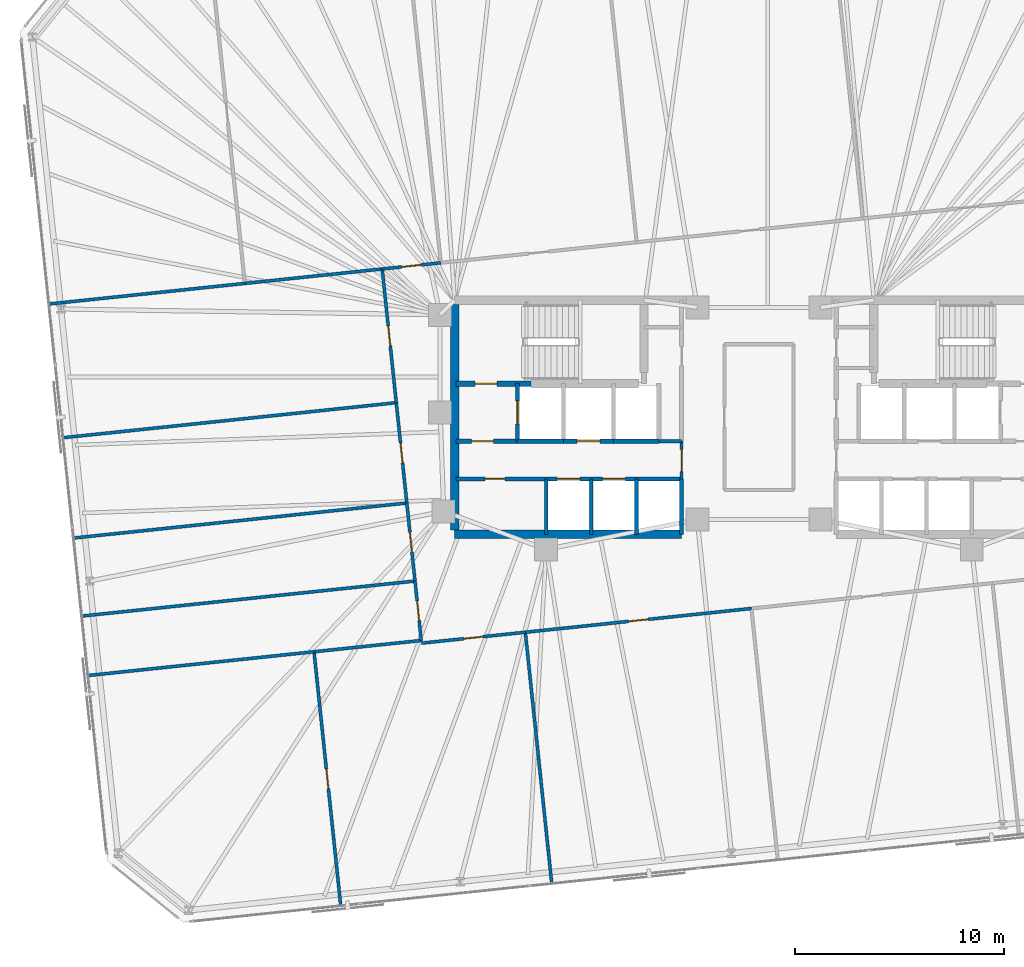
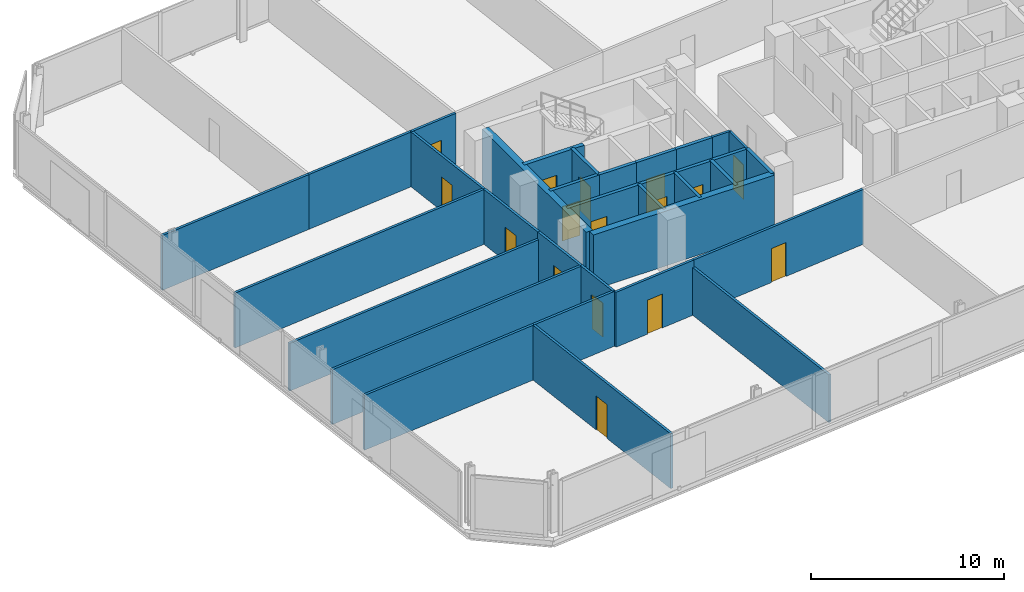
# One storey, part 14 of 18: 31 walls, 16 doors, 16 openings.
"""IFC4 building model written with IfcOpenShell, lengths in metres."""

from ifc_helpers import new_model, si_unit, direction, frame, frame_2d, origin, place, context, subcontext, project, spatial, rectangle, extrude, material, layer, layer_set, type_object, element, fill, save


model = new_model("IFC4")

# Units and contexts
model_context = context("Model", 3, precision=1e-05, world=origin(), true_north=direction((0.0, 1.0)))
body_context = subcontext(model_context, "Body", "Model", "MODEL_VIEW")
ifc_project = project(units=[si_unit("LENGTHUNIT", "METRE"), si_unit("AREAUNIT", "SQUARE_METRE"), si_unit("VOLUMEUNIT", "CUBIC_METRE"), si_unit("PLANEANGLEUNIT", "RADIAN"), si_unit("MASSUNIT", "GRAM", prefix="KILO")], contexts=[model_context])

# Site, building, storey
site_placement = place(None, origin())
site = spatial("IfcSite", under=ifc_project, at=site_placement, CompositionType="ELEMENT")
building_placement = place(site_placement, origin())
building = spatial("IfcBuilding", under=site, at=building_placement, Name="Menara Jurai Vektor", CompositionType="ELEMENT")
storey_placement = place(building_placement, frame((0.0, 0.0, 120.699951171875)))
storey = spatial("IfcBuildingStorey", under=building, at=storey_placement, Name="L30", CompositionType="ELEMENT", Elevation=120.699951171875)

# Wall, opening, door
ifc_material_1 = material(Name="Concrete C40/50", Category="concrete")
ifc_layer_1 = layer(ifc_material_1, 0.25)
ifc_layer_set_1 = layer_set([ifc_layer_1], Name="Concrete C40/50")
wall_type_1 = type_object("IfcWallType", Name="INT-WALL-CORE-250", PredefinedType="STANDARD", material=ifc_layer_set_1)
wall_1_placement = place(storey_placement, frame((-14.5, 1.60009765625, 0.0), z_axis=(0.0, 0.0, 1.0), x_axis=(1.0, 0.0, 0.0)))
wall_1 = element("IfcWall", 1, at=wall_1_placement, inside=storey, type_object=wall_type_1, Name="Interior Wall IW-250 L30", PredefinedType="STANDARD", context=body_context, shape_type="SweptSolid", body=[
    extrude(rectangle(XDim=3.60009765625, YDim=0.25, at=frame_2d((1.800048828125, 0.0))), origin(), (0.0, 0.0, 1.0), 3.47509765625),
])
opening_1_placement = place(wall_1_placement, frame((0.919921875, 0.0, 0.0)))
opening_1 = element("IfcOpeningElement", 2, at=opening_1_placement, cuts=wall_1, Name="Opening D-L30-ST1", PredefinedType="OPENING", context=body_context, shape_type="SweptSolid", body=[
    extrude(rectangle(XDim=1.050048828125, YDim=2.14990234375, at=frame_2d((0.52490234375, 1.074951171875))), frame((0.0, 0.135009765625, 0.0), z_axis=(0.0, -1.0, 0.0), x_axis=(1.0, 0.0, 0.0)), (0.0, 0.0, 1.0), 0.27001953125),
])
ifc_material_2 = material(Name="Fire-Rated Steel Door", Category="steel")
door_type_1 = type_object("IfcDoorType", Name="DR-STAIR-1050", OperationType="NOTDEFINED", PredefinedType="DOOR", material=ifc_material_2)
door_1_placement = place(opening_1_placement, origin())
door_1 = element("IfcDoor", 3, at=door_1_placement, inside=storey, type_object=door_type_1, Name="Exit Stair ST1 Door L30", OperationType="SINGLE_SWING_RIGHT", OverallHeight=2.14990234375, OverallWidth=1.050048828125, PredefinedType="DOOR", context=body_context, shape_type="SweptSolid", body=[
    extrude(rectangle(XDim=1.050048828125, YDim=2.14990234375, at=frame_2d((0.52490234375, 1.074951171875))), frame((0.0, 0.02490234375, 0.0), z_axis=(0.0, -1.0, 0.0), x_axis=(1.0, 0.0, 0.0)), (0.0, 0.0, 1.0), 0.050048828125),
])
fill(opening_1, door_1)

wall_2_placement = place(storey_placement, frame((-11.550048828125, -1.14990234375, 0.0), z_axis=(0.0, 0.0, 1.0), x_axis=(0.0, 1.0, 0.0)))
wall_2 = element("IfcWall", 4, at=wall_2_placement, inside=storey, type_object=wall_type_1, Name="Interior Wall IW-250 L30", PredefinedType="STANDARD", context=body_context, shape_type="SweptSolid", body=[
    extrude(rectangle(XDim=2.75, YDim=0.199951171875, at=frame_2d((1.375, 0.0))), origin(), (0.0, 0.0, 1.0), 3.47509765625),
])
opening_2_placement = place(wall_2_placement, frame((0.824951171875, 0.0, 0.0)))
opening_2 = element("IfcOpeningElement", 5, at=opening_2_placement, cuts=wall_2, Name="Opening LD-L30-FL1", PredefinedType="OPENING", context=body_context, shape_type="SweptSolid", body=[
    extrude(rectangle(XDim=1.10009765625, YDim=2.14990234375, at=frame_2d((0.550048828125, 1.074951171875))), frame((0.0, 0.10986328125, 0.0), z_axis=(0.0, -1.0, 0.0), x_axis=(1.0, 0.0, 0.0)), (0.0, 0.0, 1.0), 0.219970703125),
])
ifc_material_3 = material(Name="Stainless Steel Sliding Lift Landing Door", Category="steel")
door_type_2 = type_object("IfcDoorType", Name="DR-LIFT-FIRE-1100", OperationType="NOTDEFINED", PredefinedType="DOOR", material=ifc_material_3)
door_2_placement = place(opening_2_placement, origin())
door_2 = element("IfcDoor", 6, at=door_2_placement, inside=storey, type_object=door_type_2, Name="Lift Landing Door FL1 L30", OperationType="SLIDING_TO_RIGHT", OverallHeight=2.14990234375, OverallWidth=1.10009765625, PredefinedType="DOOR", context=body_context, shape_type="SweptSolid", body=[
    extrude(rectangle(XDim=1.10009765625, YDim=2.14990234375, at=frame_2d((0.550048828125, 1.074951171875))), frame((0.0, 0.02490234375, 0.0), z_axis=(0.0, -1.0, 0.0), x_axis=(1.0, 0.0, 0.0)), (0.0, 0.0, 1.0), 0.050048828125),
])
fill(opening_2, door_2)

wall_3_placement = place(storey_placement, frame((-14.5, -1.14990234375, 0.0), z_axis=(0.0, 0.0, 1.0), x_axis=(1.0, 0.0, 0.0)))
wall_3 = element("IfcWall", 7, at=wall_3_placement, inside=storey, type_object=wall_type_1, Name="Interior Wall IW-250 L30", PredefinedType="STANDARD", context=body_context, shape_type="SweptSolid", body=[
    extrude(rectangle(XDim=2.949951171875, YDim=0.199951171875, at=frame_2d((1.47509765625, 0.0))), origin(), (0.0, 0.0, 1.0), 3.47509765625),
])
opening_3_placement = place(wall_3_placement, frame((0.75, 0.0, 0.0)))
opening_3 = element("IfcOpeningElement", 8, at=opening_3_placement, cuts=wall_3, Name="Opening D-L30-FFW", PredefinedType="OPENING", context=body_context, shape_type="SweptSolid", body=[
    extrude(rectangle(XDim=1.050048828125, YDim=2.179931640625, at=frame_2d((0.52490234375, 1.08984375))), frame((0.0, 0.10986328125, 0.0), z_axis=(0.0, -1.0, 0.0), x_axis=(1.0, 0.0, 0.0)), (0.0, 0.0, 1.0), 0.219970703125),
])
ifc_material_4 = material(Name="Fire-Rated Timber Door", Category="wood")
door_type_3 = type_object("IfcDoorType", Name="DR-LOBBY-1050", OperationType="NOTDEFINED", PredefinedType="DOOR", material=ifc_material_4)
door_3_placement = place(opening_3_placement, origin())
door_3 = element("IfcDoor", 9, at=door_3_placement, inside=storey, type_object=door_type_3, Name="Fire Lift Lobby Door W L30", OperationType="SINGLE_SWING_RIGHT", OverallHeight=2.179931640625, OverallWidth=1.050048828125, PredefinedType="DOOR", context=body_context, shape_type="SweptSolid", body=[
    extrude(rectangle(XDim=1.050048828125, YDim=2.179931640625, at=frame_2d((0.52490234375, 1.08984375))), frame((0.0, 0.02490234375, 0.0), z_axis=(0.0, -1.0, 0.0), x_axis=(1.0, 0.0, 0.0)), (0.0, 0.0, 1.0), 0.050048828125),
])
fill(opening_3, door_3)

# Wall
wall_4_placement = place(storey_placement, frame((-11.550048828125, -1.14990234375, 0.0), z_axis=(0.0, 0.0, 1.0), x_axis=(1.0, 0.0, 0.0)))
element("IfcWall", 10, at=wall_4_placement, inside=storey, type_object=wall_type_1, Name="Interior Wall IW-250 L30", PredefinedType="STANDARD", context=body_context, shape_type="SweptSolid", body=[
    extrude(rectangle(XDim=2.199951171875, YDim=0.199951171875, at=frame_2d((1.10009765625, 0.0))), origin(), (0.0, 0.0, 1.0), 3.47509765625),
])

# Wall, opening, door
ifc_material_5 = material(Name="Gypsum Fireboard Partition", Category="gypsum")
ifc_layer_2 = layer(ifc_material_5, 0.14990234375)
ifc_layer_set_2 = layer_set([ifc_layer_2], Name="Gypsum Fireboard Partition")
wall_type_2 = type_object("IfcWallType", Name="INT-WALL-CORR-150", PredefinedType="PARTITIONING", material=ifc_layer_set_2)
wall_5_placement = place(storey_placement, frame((-3.699951171875, -2.949951171875, 0.0), z_axis=(0.0, 0.0, 1.0), x_axis=(0.0, 1.0, 0.0)))
wall_5 = element("IfcWall", 11, at=wall_5_placement, inside=storey, type_object=wall_type_2, Name="Interior Wall IW-150 L30", PredefinedType="PARTITIONING", context=body_context, shape_type="SweptSolid", body=[
    extrude(rectangle(XDim=1.800048828125, YDim=0.14990234375, at=frame_2d((0.89990234375, 0.0))), origin(), (0.0, 0.0, 1.0), 3.47509765625),
])
opening_4_placement = place(wall_5_placement, frame((0.35009765625, 0.0, 0.0)))
opening_4 = element("IfcOpeningElement", 12, at=opening_4_placement, cuts=wall_5, Name="Opening D-L30-LLW", PredefinedType="OPENING", context=body_context, shape_type="SweptSolid", body=[
    extrude(rectangle(XDim=1.050048828125, YDim=2.179931640625, at=frame_2d((0.52490234375, 1.08984375))), frame((0.0, 0.0849609375, 0.0), z_axis=(0.0, -1.0, 0.0), x_axis=(1.0, 0.0, 0.0)), (0.0, 0.0, 1.0), 0.169921875),
])
door_4_placement = place(opening_4_placement, origin())
door_4 = element("IfcDoor", 13, at=door_4_placement, inside=storey, type_object=door_type_3, Name="Lift Lobby Corridor Door W L30", OperationType="SINGLE_SWING_LEFT", OverallHeight=2.179931640625, OverallWidth=1.050048828125, PredefinedType="DOOR", context=body_context, shape_type="SweptSolid", body=[
    extrude(rectangle(XDim=1.050048828125, YDim=2.179931640625, at=frame_2d((0.52490234375, 1.08984375))), frame((0.0, 0.02490234375, 0.0), z_axis=(0.0, -1.0, 0.0), x_axis=(1.0, 0.0, 0.0)), (0.0, 0.0, 1.0), 0.050048828125),
])
fill(opening_4, door_4)

# Wall
wall_6_placement = place(storey_placement, frame((-4.7900390625, -1.14990234375, 0.0), z_axis=(0.0, 0.0, 1.0), x_axis=(1.0, 0.0, 0.0)))
element("IfcWall", 14, at=wall_6_placement, inside=storey, type_object=wall_type_2, Name="Interior Wall IW-150 L30", PredefinedType="PARTITIONING", context=body_context, shape_type="SweptSolid", body=[
    extrude(rectangle(XDim=1.090087890625, YDim=0.14990234375, at=frame_2d((0.544921875, 0.0))), origin(), (0.0, 0.0, 1.0), 3.47509765625),
])

# Wall, opening, door
wall_7_placement = place(storey_placement, frame((-18.021240234375, 7.09033203125, 0.0), z_axis=(0.0, 0.0, 1.0), x_axis=(0.994522535937, 0.104522368483, 0.0)))
wall_7 = element("IfcWall", 15, at=wall_7_placement, inside=storey, type_object=wall_type_2, Name="Interior Wall IW-150 L30", PredefinedType="PARTITIONING", context=body_context, shape_type="SweptSolid", body=[
    extrude(rectangle(XDim=2.81689453125, YDim=0.14990234375, at=frame_2d((1.408447265625, 0.0))), origin(), (0.0, 0.0, 1.0), 3.47509765625),
])
opening_5_placement = place(wall_7_placement, frame((0.93359375, 0.0, 0.0)))
opening_5 = element("IfcOpeningElement", 16, at=opening_5_placement, cuts=wall_7, Name="Opening D30-07", PredefinedType="OPENING", context=body_context, shape_type="SweptSolid", body=[
    extrude(rectangle(XDim=0.949951171875, YDim=2.14990234375, at=frame_2d((0.47509765625, 1.074951171875))), frame((0.0, 0.0849609375, 0.0), z_axis=(0.0, -1.0, 0.0), x_axis=(1.0, 0.0, 0.0)), (0.0, 0.0, 1.0), 0.169921875),
])
ifc_material_6 = material(Name="Solid Core Timber Fire Door", Category="wood")
door_type_4 = type_object("IfcDoorType", Name="DR-ENTRY-950", OperationType="NOTDEFINED", PredefinedType="DOOR", material=ifc_material_6)
door_5_placement = place(opening_5_placement, origin())
door_5 = element("IfcDoor", 17, at=door_5_placement, inside=storey, type_object=door_type_4, Name="Interior Door D30-07", OperationType="SINGLE_SWING_RIGHT", OverallHeight=2.14990234375, OverallWidth=0.949951171875, PredefinedType="DOOR", context=body_context, shape_type="SweptSolid", body=[
    extrude(rectangle(XDim=0.949951171875, YDim=2.14990234375, at=frame_2d((0.47509765625, 1.074951171875))), frame((0.0, 0.02490234375, 0.0), z_axis=(0.0, -1.0, 0.0), x_axis=(1.0, 0.0, 0.0)), (0.0, 0.0, 1.0), 0.050048828125),
])
fill(opening_5, door_5)

wall_8_placement = place(storey_placement, frame((-16.139892578125, -10.80908203125, 0.0), z_axis=(0.0, 0.0, 1.0), x_axis=(0.994523393184, 0.104514211519, 0.0)))
wall_8 = element("IfcWall", 18, at=wall_8_placement, inside=storey, type_object=wall_type_2, Name="Interior Wall IW-150 L30", PredefinedType="PARTITIONING", context=body_context, shape_type="SweptSolid", body=[
    extrude(rectangle(XDim=4.991943359375, YDim=0.14990234375, at=frame_2d((2.49609375, 0.0))), origin(), (0.0, 0.0, 1.0), 3.47509765625),
])
opening_6_placement = place(wall_8_placement, frame((2.02099609375, 0.0, 0.0)))
opening_6 = element("IfcOpeningElement", 19, at=opening_6_placement, cuts=wall_8, Name="Opening D30-12", PredefinedType="OPENING", context=body_context, shape_type="SweptSolid", body=[
    extrude(rectangle(XDim=0.949951171875, YDim=2.14990234375, at=frame_2d((0.47509765625, 1.074951171875))), frame((0.0, 0.0849609375, 0.0), z_axis=(0.0, -1.0, 0.0), x_axis=(1.0, 0.0, 0.0)), (0.0, 0.0, 1.0), 0.169921875),
])
door_6_placement = place(opening_6_placement, origin())
door_6 = element("IfcDoor", 20, at=door_6_placement, inside=storey, type_object=door_type_4, Name="Interior Door D30-12", OperationType="SINGLE_SWING_LEFT", OverallHeight=2.14990234375, OverallWidth=0.949951171875, PredefinedType="DOOR", context=body_context, shape_type="SweptSolid", body=[
    extrude(rectangle(XDim=0.949951171875, YDim=2.14990234375, at=frame_2d((0.47509765625, 1.074951171875))), frame((0.0, 0.02490234375, 0.0), z_axis=(0.0, -1.0, 0.0), x_axis=(1.0, 0.0, 0.0)), (0.0, 0.0, 1.0), 0.050048828125),
])
fill(opening_6, door_6)

wall_9_placement = place(storey_placement, frame((-11.17529296875, -10.287353515625, 0.0), z_axis=(0.0, 0.0, 1.0), x_axis=(0.994522169869, 0.104525851533, 0.0)))
wall_9 = element("IfcWall", 21, at=wall_9_placement, inside=storey, type_object=wall_type_2, Name="Interior Wall IW-150 L30", PredefinedType="PARTITIONING", context=body_context, shape_type="SweptSolid", body=[
    extrude(rectangle(XDim=10.875, YDim=0.14990234375, at=frame_2d((5.4375, 0.0))), origin(), (0.0, 0.0, 1.0), 3.47509765625),
])
opening_7_placement = place(wall_9_placement, frame((4.96240234375, 0.0, 0.0)))
opening_7 = element("IfcOpeningElement", 22, at=opening_7_placement, cuts=wall_9, Name="Opening D30-13", PredefinedType="OPENING", context=body_context, shape_type="SweptSolid", body=[
    extrude(rectangle(XDim=0.949951171875, YDim=2.14990234375, at=frame_2d((0.47509765625, 1.074951171875))), frame((0.0, 0.0849609375, 0.0), z_axis=(0.0, -1.0, 0.0), x_axis=(1.0, 0.0, 0.0)), (0.0, 0.0, 1.0), 0.169921875),
])
door_7_placement = place(opening_7_placement, origin())
door_7 = element("IfcDoor", 23, at=door_7_placement, inside=storey, type_object=door_type_4, Name="Interior Door D30-13", OperationType="SINGLE_SWING_RIGHT", OverallHeight=2.14990234375, OverallWidth=0.949951171875, PredefinedType="DOOR", context=body_context, shape_type="SweptSolid", body=[
    extrude(rectangle(XDim=0.949951171875, YDim=2.14990234375, at=frame_2d((0.47509765625, 1.074951171875))), frame((0.0, 0.02490234375, 0.0), z_axis=(0.0, -1.0, 0.0), x_axis=(1.0, 0.0, 0.0)), (0.0, 0.0, 1.0), 0.050048828125),
])
fill(opening_7, door_7)

wall_10_placement = place(storey_placement, frame((-16.1533203125, -10.681884765625, 0.0), z_axis=(0.0, 0.0, 1.0), x_axis=(-0.104600331874, 0.994514339048, 0.0)))
wall_10 = element("IfcWall", 24, at=wall_10_placement, inside=storey, type_object=wall_type_2, Name="Interior Wall IW-150 L30", PredefinedType="PARTITIONING", context=body_context, shape_type="SweptSolid", body=[
    extrude(rectangle(XDim=2.859130859375, YDim=0.14990234375, at=frame_2d((1.4296875, 0.0))), origin(), (0.0, 0.0, 1.0), 3.47509765625),
])
opening_8_placement = place(wall_10_placement, frame((0.95458984375, 0.0, 0.0)))
opening_8 = element("IfcOpeningElement", 25, at=opening_8_placement, cuts=wall_10, Name="Opening D30-16", PredefinedType="OPENING", context=body_context, shape_type="SweptSolid", body=[
    extrude(rectangle(XDim=0.949951171875, YDim=2.14990234375, at=frame_2d((0.47509765625, 1.074951171875))), frame((0.0, 0.0849609375, 0.0), z_axis=(0.0, -1.0, 0.0), x_axis=(1.0, 0.0, 0.0)), (0.0, 0.0, 1.0), 0.169921875),
])
door_8_placement = place(opening_8_placement, origin())
door_8 = element("IfcDoor", 26, at=door_8_placement, inside=storey, type_object=door_type_4, Name="Interior Door D30-16", OperationType="SINGLE_SWING_LEFT", OverallHeight=2.14990234375, OverallWidth=0.949951171875, PredefinedType="DOOR", context=body_context, shape_type="SweptSolid", body=[
    extrude(rectangle(XDim=0.949951171875, YDim=2.14990234375, at=frame_2d((0.47509765625, 1.074951171875))), frame((0.0, 0.02490234375, 0.0), z_axis=(0.0, -1.0, 0.0), x_axis=(1.0, 0.0, 0.0)), (0.0, 0.0, 1.0), 0.050048828125),
])
fill(opening_8, door_8)

wall_11_placement = place(storey_placement, frame((-16.452392578125, -7.83837890625, 0.0), z_axis=(0.0, 0.0, 1.0), x_axis=(-0.104481590513, 0.994526820777, 0.0)))
wall_11 = element("IfcWall", 27, at=wall_11_placement, inside=storey, type_object=wall_type_2, Name="Interior Wall IW-150 L30", PredefinedType="PARTITIONING", context=body_context, shape_type="SweptSolid", body=[
    extrude(rectangle(XDim=3.752685546875, YDim=0.14990234375, at=frame_2d((1.87646484375, 0.0))), origin(), (0.0, 0.0, 1.0), 3.47509765625),
])
opening_9_placement = place(wall_11_placement, frame((1.401611328125, 0.0, 0.0)))
opening_9 = element("IfcOpeningElement", 28, at=opening_9_placement, cuts=wall_11, Name="Opening D30-17", PredefinedType="OPENING", context=body_context, shape_type="SweptSolid", body=[
    extrude(rectangle(XDim=0.949951171875, YDim=2.14990234375, at=frame_2d((0.47509765625, 1.074951171875))), frame((0.0, 0.0849609375, 0.0), z_axis=(0.0, -1.0, 0.0), x_axis=(1.0, 0.0, 0.0)), (0.0, 0.0, 1.0), 0.169921875),
])
door_9_placement = place(opening_9_placement, origin())
door_9 = element("IfcDoor", 29, at=door_9_placement, inside=storey, type_object=door_type_4, Name="Interior Door D30-17", OperationType="SINGLE_SWING_RIGHT", OverallHeight=2.14990234375, OverallWidth=0.949951171875, PredefinedType="DOOR", context=body_context, shape_type="SweptSolid", body=[
    extrude(rectangle(XDim=0.949951171875, YDim=2.14990234375, at=frame_2d((0.47509765625, 1.074951171875))), frame((0.0, 0.02490234375, 0.0), z_axis=(0.0, -1.0, 0.0), x_axis=(1.0, 0.0, 0.0)), (0.0, 0.0, 1.0), 0.050048828125),
])
fill(opening_9, door_9)

wall_12_placement = place(storey_placement, frame((-16.844482421875, -4.106201171875, 0.0), z_axis=(0.0, 0.0, 1.0), x_axis=(-0.104537284168, 0.994520968215, 0.0)))
wall_12 = element("IfcWall", 30, at=wall_12_placement, inside=storey, type_object=wall_type_2, Name="Interior Wall IW-150 L30", PredefinedType="PARTITIONING", context=body_context, shape_type="SweptSolid", body=[
    extrude(rectangle(XDim=4.824951171875, YDim=0.14990234375, at=frame_2d((2.41259765625, 0.0))), origin(), (0.0, 0.0, 1.0), 3.47509765625),
])
opening_10_placement = place(wall_12_placement, frame((1.9375, 0.0, 0.0)))
opening_10 = element("IfcOpeningElement", 31, at=opening_10_placement, cuts=wall_12, Name="Opening D30-18", PredefinedType="OPENING", context=body_context, shape_type="SweptSolid", body=[
    extrude(rectangle(XDim=0.949951171875, YDim=2.14990234375, at=frame_2d((0.47509765625, 1.074951171875))), frame((0.0, 0.0849609375, 0.0), z_axis=(0.0, -1.0, 0.0), x_axis=(1.0, 0.0, 0.0)), (0.0, 0.0, 1.0), 0.169921875),
])
door_10_placement = place(opening_10_placement, origin())
door_10 = element("IfcDoor", 32, at=door_10_placement, inside=storey, type_object=door_type_4, Name="Interior Door D30-18", OperationType="SINGLE_SWING_LEFT", OverallHeight=2.14990234375, OverallWidth=0.949951171875, PredefinedType="DOOR", context=body_context, shape_type="SweptSolid", body=[
    extrude(rectangle(XDim=0.949951171875, YDim=2.14990234375, at=frame_2d((0.47509765625, 1.074951171875))), frame((0.0, 0.02490234375, 0.0), z_axis=(0.0, -1.0, 0.0), x_axis=(1.0, 0.0, 0.0)), (0.0, 0.0, 1.0), 0.050048828125),
])
fill(opening_10, door_10)

wall_13_placement = place(storey_placement, frame((-17.348876953125, 0.6923828125, 0.0), z_axis=(0.0, 0.0, 1.0), x_axis=(-0.104514890797, 0.994523321799, 0.0)))
wall_13 = element("IfcWall", 33, at=wall_13_placement, inside=storey, type_object=wall_type_2, Name="Interior Wall IW-150 L30", PredefinedType="PARTITIONING", context=body_context, shape_type="SweptSolid", body=[
    extrude(rectangle(XDim=6.43310546875, YDim=0.14990234375, at=frame_2d((3.216552734375, 0.0))), origin(), (0.0, 0.0, 1.0), 3.47509765625),
])
opening_11_placement = place(wall_13_placement, frame((2.741455078125, 0.0, 0.0)))
opening_11 = element("IfcOpeningElement", 34, at=opening_11_placement, cuts=wall_13, Name="Opening D30-19", PredefinedType="OPENING", context=body_context, shape_type="SweptSolid", body=[
    extrude(rectangle(XDim=0.949951171875, YDim=2.14990234375, at=frame_2d((0.47509765625, 1.074951171875))), frame((0.0, 0.0849609375, 0.0), z_axis=(0.0, -1.0, 0.0), x_axis=(1.0, 0.0, 0.0)), (0.0, 0.0, 1.0), 0.169921875),
])
door_11_placement = place(opening_11_placement, origin())
door_11 = element("IfcDoor", 35, at=door_11_placement, inside=storey, type_object=door_type_4, Name="Interior Door D30-19", OperationType="SINGLE_SWING_RIGHT", OverallHeight=2.14990234375, OverallWidth=0.949951171875, PredefinedType="DOOR", context=body_context, shape_type="SweptSolid", body=[
    extrude(rectangle(XDim=0.949951171875, YDim=2.14990234375, at=frame_2d((0.47509765625, 1.074951171875))), frame((0.0, 0.02490234375, 0.0), z_axis=(0.0, -1.0, 0.0), x_axis=(1.0, 0.0, 0.0)), (0.0, 0.0, 1.0), 0.050048828125),
])
fill(opening_11, door_11)

# Walls
wall_14_placement = place(storey_placement, frame((-33.966552734375, 5.414306640625, 0.0), z_axis=(0.0, 0.0, 1.0), x_axis=(0.994522897059, 0.104518932376, 0.0)))
element("IfcWall", 36, at=wall_14_placement, inside=storey, type_object=wall_type_2, Name="Interior Wall IW-150 L30", PredefinedType="PARTITIONING", context=body_context, shape_type="SweptSolid", body=[
    extrude(rectangle(XDim=9.425048828125, YDim=0.14990234375, at=frame_2d((4.71240234375, 0.0))), origin(), (0.0, 0.0, 1.0), 3.47509765625),
])
wall_15_placement = place(storey_placement, frame((-24.593017578125, 6.3994140625, 0.0), z_axis=(0.0, 0.0, 1.0), x_axis=(0.9945188062, 0.104557850566, 0.0)))
element("IfcWall", 37, at=wall_15_placement, inside=storey, type_object=wall_type_2, Name="Interior Wall IW-150 L30", PredefinedType="PARTITIONING", context=body_context, shape_type="SweptSolid", body=[
    extrude(rectangle(XDim=6.60791015625, YDim=0.14990234375, at=frame_2d((3.303955078125, 0.0))), origin(), (0.0, 0.0, 1.0), 3.47509765625),
])

# Wall, opening, door
wall_16_placement = place(storey_placement, frame((-20.005615234375, -23.375, 0.0), z_axis=(0.0, 0.0, 1.0), x_axis=(-0.104540236679, 0.994520657862, 0.0)))
wall_16 = element("IfcWall", 38, at=wall_16_placement, inside=storey, type_object=wall_type_2, Name="Interior Wall IW-150 L30", PredefinedType="PARTITIONING", context=body_context, shape_type="SweptSolid", body=[
    extrude(rectangle(XDim=12.220947265625, YDim=0.14990234375, at=frame_2d((6.1103515625, 0.0))), origin(), (0.0, 0.0, 1.0), 3.47509765625),
])
opening_12_placement = place(wall_16_placement, frame((5.635498046875, 0.0, 0.0)))
opening_12 = element("IfcOpeningElement", 39, at=opening_12_placement, cuts=wall_16, Name="Opening D30-25", PredefinedType="OPENING", context=body_context, shape_type="SweptSolid", body=[
    extrude(rectangle(XDim=0.949951171875, YDim=2.14990234375, at=frame_2d((0.47509765625, 1.074951171875))), frame((0.0, 0.0849609375, 0.0), z_axis=(0.0, -1.0, 0.0), x_axis=(1.0, 0.0, 0.0)), (0.0, 0.0, 1.0), 0.169921875),
])
door_12_placement = place(opening_12_placement, origin())
door_12 = element("IfcDoor", 40, at=door_12_placement, inside=storey, type_object=door_type_4, Name="Interior Door D30-25", OperationType="SINGLE_SWING_RIGHT", OverallHeight=2.14990234375, OverallWidth=0.949951171875, PredefinedType="DOOR", context=body_context, shape_type="SweptSolid", body=[
    extrude(rectangle(XDim=0.949951171875, YDim=2.14990234375, at=frame_2d((0.47509765625, 1.074951171875))), frame((0.0, 0.02490234375, 0.0), z_axis=(0.0, -1.0, 0.0), x_axis=(1.0, 0.0, 0.0)), (0.0, 0.0, 1.0), 0.050048828125),
])
fill(opening_12, door_12)

# Walls
wall_17_placement = place(storey_placement, frame((-32.0986328125, -12.357666015625, 0.0), z_axis=(0.0, 0.0, 1.0), x_axis=(0.994522169869, 0.104525851533, 0.0)))
element("IfcWall", 41, at=wall_17_placement, inside=storey, type_object=wall_type_2, Name="Interior Wall IW-150 L30", PredefinedType="PARTITIONING", context=body_context, shape_type="SweptSolid", body=[
    extrude(rectangle(XDim=10.875, YDim=0.14990234375, at=frame_2d((5.4375, 0.0))), origin(), (0.0, 0.0, 1.0), 3.47509765625),
])
wall_18_placement = place(storey_placement, frame((-21.283203125, -11.220947265625, 0.0), z_axis=(0.0, 0.0, 1.0), x_axis=(0.994524110249, 0.104507387942, 0.0)))
element("IfcWall", 42, at=wall_18_placement, inside=storey, type_object=wall_type_2, Name="Interior Wall IW-150 L30", PredefinedType="PARTITIONING", context=body_context, shape_type="SweptSolid", body=[
    extrude(rectangle(XDim=5.158203125, YDim=0.14990234375, at=frame_2d((2.5791015625, 0.0))), origin(), (0.0, 0.0, 1.0), 3.47509765625),
])
wall_19_placement = place(storey_placement, frame((-32.3974609375, -9.514404296875, 0.0), z_axis=(0.0, 0.0, 1.0), x_axis=(0.994521044813, 0.104536555445, 0.0)))
element("IfcWall", 43, at=wall_19_placement, inside=storey, type_object=wall_type_2, Name="Interior Wall IW-150 L30", PredefinedType="PARTITIONING", context=body_context, shape_type="SweptSolid", body=[
    extrude(rectangle(XDim=16.032958984375, YDim=0.14990234375, at=frame_2d((8.0166015625, 0.0))), origin(), (0.0, 0.0, 1.0), 3.47509765625),
])
wall_20_placement = place(storey_placement, frame((-33.294189453125, -0.9833984375, 0.0), z_axis=(0.0, 0.0, 1.0), x_axis=(0.994522794159, 0.104519911488, 0.0)))
element("IfcWall", 44, at=wall_20_placement, inside=storey, type_object=wall_type_2, Name="Interior Wall IW-150 L30", PredefinedType="PARTITIONING", context=body_context, shape_type="SweptSolid", body=[
    extrude(rectangle(XDim=16.033203125, YDim=0.14990234375, at=frame_2d((8.0166015625, 0.0))), origin(), (0.0, 0.0, 1.0), 3.47509765625),
])
ifc_layer_3 = layer(ifc_material_5, 0.14990234375)
ifc_layer_set_3 = layer_set([ifc_layer_3], Name="Gypsum Fireboard Partition")
wall_type_3 = type_object("IfcWallType", Name="INT-WALL-CORR-150-H1", PredefinedType="PARTITIONING", material=ifc_layer_set_3)
wall_21_placement = place(storey_placement, frame((-9.911376953125, -22.314208984375, 0.0), z_axis=(0.0, 0.0, 1.0), x_axis=(-0.104515587229, 0.99452324861, 0.0)))
element("IfcWall", 45, at=wall_21_placement, inside=storey, type_object=wall_type_3, Name="Interior Wall IW-150 L30", PredefinedType="PARTITIONING", context=body_context, shape_type="SweptSolid", body=[
    extrude(rectangle(XDim=12.093017578125, YDim=0.14990234375, at=frame_2d((6.04638671875, 0.0))), origin(), (0.0, 0.0, 1.0), 3.025146484375),
])
wall_22_placement = place(storey_placement, frame((-32.789794921875, -5.781982421875, 0.0), z_axis=(0.0, 0.0, 1.0), x_axis=(0.994522794159, 0.104519911488, 0.0)))
element("IfcWall", 46, at=wall_22_placement, inside=storey, type_object=wall_type_3, Name="Interior Wall IW-150 L30", PredefinedType="PARTITIONING", context=body_context, shape_type="SweptSolid", body=[
    extrude(rectangle(XDim=16.033203125, YDim=0.14990234375, at=frame_2d((8.0166015625, 0.0))), origin(), (0.0, 0.0, 1.0), 3.025146484375),
])
ifc_layer_4 = layer(ifc_material_1, 0.199951171875)
ifc_layer_set_4 = layer_set([ifc_layer_4], Name="Concrete C40/50")
wall_type_4 = type_object("IfcWallType", Name="INT-WALL-SHAFT-200", PredefinedType="STANDARD", material=ifc_layer_set_4)
wall_23_placement = place(storey_placement, frame((-3.699951171875, -5.60009765625, 0.0), z_axis=(0.0, 0.0, 1.0), x_axis=(0.0, 1.0, 0.0)))
element("IfcWall", 47, at=wall_23_placement, inside=storey, type_object=wall_type_4, Name="Interior Wall IW-200 L30", PredefinedType="STANDARD", context=body_context, shape_type="SweptSolid", body=[
    extrude(rectangle(XDim=2.650146484375, YDim=0.199951171875, at=frame_2d((1.3251953125, 0.0))), origin(), (0.0, 0.0, 1.0), 3.47509765625),
])

# Wall, opening, door
wall_24_placement = place(storey_placement, frame((-9.35009765625, -1.14990234375, 0.0), z_axis=(0.0, 0.0, 1.0), x_axis=(1.0, 0.0, 0.0)))
wall_24 = element("IfcWall", 48, at=wall_24_placement, inside=storey, type_object=wall_type_4, Name="Interior Wall IW-200 L30", PredefinedType="STANDARD", context=body_context, shape_type="SweptSolid", body=[
    extrude(rectangle(XDim=2.400146484375, YDim=0.199951171875, at=frame_2d((1.2001953125, 0.0))), origin(), (0.0, 0.0, 1.0), 3.47509765625),
])
opening_13_placement = place(wall_24_placement, frame((0.64990234375, 0.0, 0.0)))
opening_13 = element("IfcOpeningElement", 49, at=opening_13_placement, cuts=wall_24, Name="Opening LD-L30-SVL1", PredefinedType="OPENING", context=body_context, shape_type="SweptSolid", body=[
    extrude(rectangle(XDim=1.10009765625, YDim=2.14990234375, at=frame_2d((0.550048828125, 1.074951171875))), frame((0.0, 0.10986328125, 0.0), z_axis=(0.0, -1.0, 0.0), x_axis=(1.0, 0.0, 0.0)), (0.0, 0.0, 1.0), 0.219970703125),
])
ifc_material_7 = material(Name="Anodised Stainless Sliding Lift Landing Door", Category="steel")
door_type_5 = type_object("IfcDoorType", Name="DR-LIFT-PASS-1100", OperationType="NOTDEFINED", PredefinedType="DOOR", material=ifc_material_7)
door_13_placement = place(opening_13_placement, origin())
door_13 = element("IfcDoor", 50, at=door_13_placement, inside=storey, type_object=door_type_5, Name="Lift Landing Door SVL1 L30", OperationType="SLIDING_TO_RIGHT", OverallHeight=2.14990234375, OverallWidth=1.10009765625, PredefinedType="DOOR", context=body_context, shape_type="SweptSolid", body=[
    extrude(rectangle(XDim=1.10009765625, YDim=2.14990234375, at=frame_2d((0.550048828125, 1.074951171875))), frame((0.0, 0.02490234375, 0.0), z_axis=(0.0, -1.0, 0.0), x_axis=(1.0, 0.0, 0.0)), (0.0, 0.0, 1.0), 0.050048828125),
])
fill(opening_13, door_13)

# Wall
wall_25_placement = place(storey_placement, frame((-6.949951171875, -1.14990234375, 0.0), z_axis=(0.0, 0.0, 1.0), x_axis=(1.0, 0.0, 0.0)))
element("IfcWall", 51, at=wall_25_placement, inside=storey, type_object=wall_type_4, Name="Interior Wall IW-200 L30", PredefinedType="STANDARD", context=body_context, shape_type="SweptSolid", body=[
    extrude(rectangle(XDim=2.159912109375, YDim=0.199951171875, at=frame_2d((1.080078125, 0.0))), origin(), (0.0, 0.0, 1.0), 3.47509765625),
])

# Wall, openings, doors
wall_26_placement = place(storey_placement, frame((-14.5, -2.949951171875, 0.0), z_axis=(0.0, 0.0, 1.0), x_axis=(1.0, 0.0, 0.0)))
wall_26 = element("IfcWall", 52, at=wall_26_placement, inside=storey, type_object=wall_type_4, Name="Interior Wall IW-200 L30", PredefinedType="STANDARD", context=body_context, shape_type="SweptSolid", body=[
    extrude(rectangle(XDim=10.800048828125, YDim=0.199951171875, at=frame_2d((5.39990234375, 0.0))), origin(), (0.0, 0.0, 1.0), 3.47509765625),
])
opening_14_placement = place(wall_26_placement, frame((4.85009765625, 0.0, 0.0)))
opening_14 = element("IfcOpeningElement", 53, at=opening_14_placement, cuts=wall_26, Name="Opening LD-L30-PM1", PredefinedType="OPENING", context=body_context, shape_type="SweptSolid", body=[
    extrude(rectangle(XDim=1.10009765625, YDim=2.14990234375, at=frame_2d((0.550048828125, 1.074951171875))), frame((0.0, 0.10986328125, 0.0), z_axis=(0.0, -1.0, 0.0), x_axis=(1.0, 0.0, 0.0)), (0.0, 0.0, 1.0), 0.219970703125),
])
opening_15_placement = place(wall_26_placement, frame((7.010009765625, 0.0, 0.0)))
opening_15 = element("IfcOpeningElement", 54, at=opening_15_placement, cuts=wall_26, Name="Opening LD-L30-PM2", PredefinedType="OPENING", context=body_context, shape_type="SweptSolid", body=[
    extrude(rectangle(XDim=1.10009765625, YDim=2.14990234375, at=frame_2d((0.550048828125, 1.074951171875))), frame((0.0, 0.10986328125, 0.0), z_axis=(0.0, -1.0, 0.0), x_axis=(1.0, 0.0, 0.0)), (0.0, 0.0, 1.0), 0.219970703125),
])
opening_16_placement = place(wall_26_placement, frame((1.39990234375, 0.0, 0.0)))
opening_16 = element("IfcOpeningElement", 55, at=opening_16_placement, cuts=wall_26, Name="Opening D30-01", PredefinedType="OPENING", context=body_context, shape_type="SweptSolid", body=[
    extrude(rectangle(XDim=0.949951171875, YDim=2.14990234375, at=frame_2d((0.47509765625, 1.074951171875))), frame((0.0, 0.10986328125, 0.0), z_axis=(0.0, -1.0, 0.0), x_axis=(1.0, 0.0, 0.0)), (0.0, 0.0, 1.0), 0.219970703125),
])
door_14_placement = place(opening_16_placement, origin())
door_14 = element("IfcDoor", 56, at=door_14_placement, inside=storey, type_object=door_type_4, Name="Interior Door D30-01", OperationType="SINGLE_SWING_LEFT", OverallHeight=2.14990234375, OverallWidth=0.949951171875, PredefinedType="DOOR", context=body_context, shape_type="SweptSolid", body=[
    extrude(rectangle(XDim=0.949951171875, YDim=2.14990234375, at=frame_2d((0.47509765625, 1.074951171875))), frame((0.0, 0.02490234375, 0.0), z_axis=(0.0, -1.0, 0.0), x_axis=(1.0, 0.0, 0.0)), (0.0, 0.0, 1.0), 0.050048828125),
])
fill(opening_16, door_14)
door_15_placement = place(opening_14_placement, origin())
door_15 = element("IfcDoor", 57, at=door_15_placement, inside=storey, type_object=door_type_5, Name="Lift Landing Door PM1 L30", OperationType="SLIDING_TO_LEFT", OverallHeight=2.14990234375, OverallWidth=1.10009765625, PredefinedType="DOOR", context=body_context, shape_type="SweptSolid", body=[
    extrude(rectangle(XDim=1.10009765625, YDim=2.14990234375, at=frame_2d((0.550048828125, 1.074951171875))), frame((0.0, 0.02490234375, 0.0), z_axis=(0.0, -1.0, 0.0), x_axis=(1.0, 0.0, 0.0)), (0.0, 0.0, 1.0), 0.050048828125),
])
fill(opening_14, door_15)
door_16_placement = place(opening_15_placement, origin())
door_16 = element("IfcDoor", 58, at=door_16_placement, inside=storey, type_object=door_type_5, Name="Lift Landing Door PM2 L30", OperationType="SLIDING_TO_LEFT", OverallHeight=2.14990234375, OverallWidth=1.10009765625, PredefinedType="DOOR", context=body_context, shape_type="SweptSolid", body=[
    extrude(rectangle(XDim=1.10009765625, YDim=2.14990234375, at=frame_2d((0.550048828125, 1.074951171875))), frame((0.0, 0.02490234375, 0.0), z_axis=(0.0, -1.0, 0.0), x_axis=(1.0, 0.0, 0.0)), (0.0, 0.0, 1.0), 0.050048828125),
])
fill(opening_15, door_16)

# Walls
wall_27_placement = place(storey_placement, frame((-5.860107421875, -5.60009765625, 0.0), z_axis=(0.0, 0.0, 1.0), x_axis=(0.0, 1.0, 0.0)))
element("IfcWall", 59, at=wall_27_placement, inside=storey, type_object=wall_type_4, Name="Interior Wall IW-200 L30", PredefinedType="STANDARD", context=body_context, shape_type="SweptSolid", body=[
    extrude(rectangle(XDim=2.650146484375, YDim=0.199951171875, at=frame_2d((1.3251953125, 0.0))), origin(), (0.0, 0.0, 1.0), 3.47509765625),
])
for number, where, z_axis, x_axis, name in (
    (60, (-10.179931640625, -5.60009765625, 0.0), (0.0, 0.0, 1.0), (0.0, 1.0, 0.0), "Interior Wall IW-200 L30"),
    (61, (-8.02001953125, -5.60009765625, 0.0), (0.0, 0.0, 1.0), (0.0, 1.0, 0.0), "Interior Wall IW-200 L30"),
):
    element("IfcWall", number, at=place(storey_placement, frame(where, z_axis=z_axis, x_axis=x_axis)), inside=storey, type_object=wall_type_4, Name=name, PredefinedType="STANDARD", context=body_context, shape_type="SweptSolid", body=[
        extrude(rectangle(XDim=2.650146484375, YDim=0.179931640625, at=frame_2d((1.3251953125, 0.0))), origin(), (0.0, 0.0, 1.0), 3.47509765625),
    ])
ifc_material_8 = material(Name="Concrete C50/60", Category="concrete")
ifc_layer_5 = layer(ifc_material_8, 0.39990234375)
ifc_layer_set_5 = layer_set([ifc_layer_5], Name="Concrete C50/60")
wall_type_5 = type_object("IfcWallType", Name="STR-WALL-CORE400", PredefinedType="SHEAR", material=ifc_layer_set_5)
wall_28_placement = place(storey_placement, frame((-14.56005859375, -5.60009765625, 0.0), z_axis=(0.0, 0.0, 1.0), x_axis=(1.0, 0.0, 0.0)))
element("IfcWall", 62, at=wall_28_placement, inside=storey, type_object=wall_type_5, Name="Core Shear Wall CW-W-S L30", PredefinedType="SHEAR", context=body_context, shape_type="SweptSolid", body=[
    extrude(rectangle(XDim=10.860107421875, YDim=0.39990234375, at=frame_2d((5.43017578125, 0.0))), origin(), (0.0, 0.0, 1.0), 3.47509765625),
])
wall_29_placement = place(storey_placement, frame((-14.56005859375, -5.39990234375, 0.0), z_axis=(0.0, 0.0, 1.0), x_axis=(0.0, 1.0, 0.0)))
element("IfcWall", 63, at=wall_29_placement, inside=storey, type_object=wall_type_5, Name="Core Shear Wall CW-W-W L30", PredefinedType="SHEAR", context=body_context, shape_type="SweptSolid", body=[
    extrude(rectangle(XDim=10.7998046875, YDim=0.39990234375, at=frame_2d((5.39990234375, 0.0))), origin(), (0.0, 0.0, 1.0), 3.47509765625),
])

save(model, "model.ifc")
